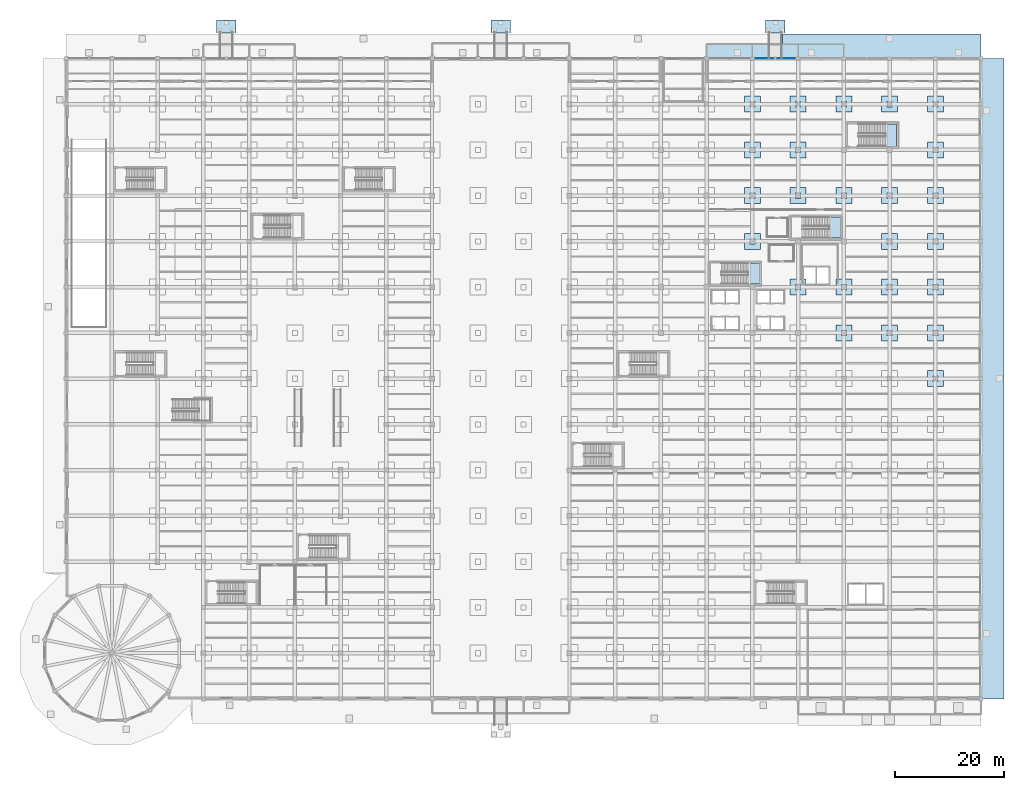
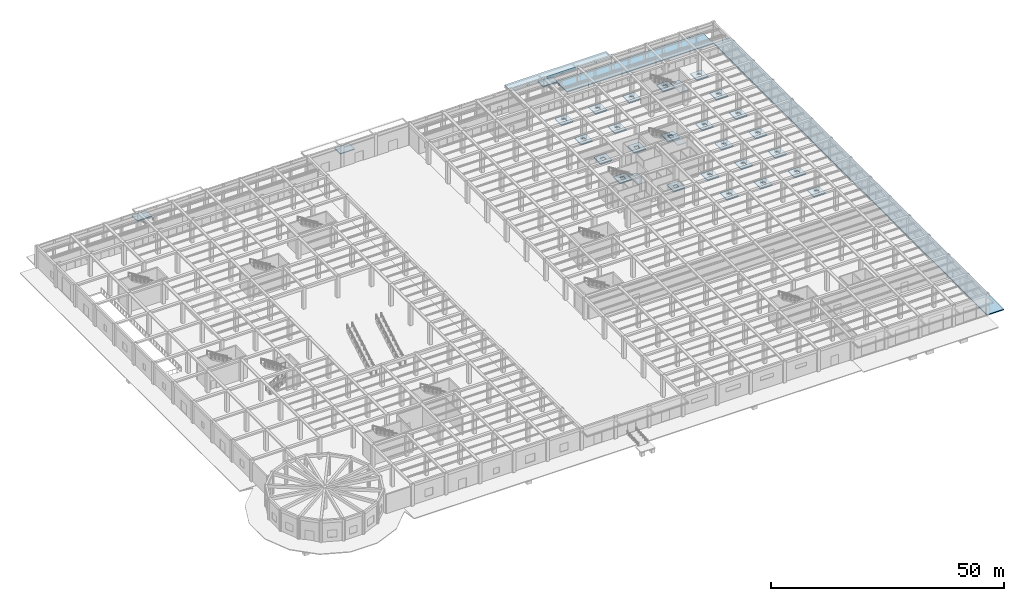
# One storey, part 21 of 43: 33 slabs, 1 plate, 4 elements without a shape of their own.
"""IFC4 building model written with IfcOpenShell, lengths in metres."""

import ifcopenshell
import ifcopenshell.guid

model = None  # the IFC model being written
_history = None  # IfcOwnerHistory: only IFC2X3 demands one
_inside = {}  # id of a spatial element -> (the spatial element, [elements in it])
_under = {}  # id of a project, library or spatial element -> (it, [spatial elements below it])
_declared = {}  # id of a project -> (the project, [libraries it declares])
_typed = {}  # id of a type object -> (the type object, [elements of that type])
_made_of = {}  # id of a material, layer set ... -> (it, [elements and type objects made of it])


def new_model(schema):
    """Start an empty IFC model of exactly this schema.

    Asked for "IFC4X3", IfcOpenShell would pick the latest addendum, in which some entities
    have other attributes; the version numbers below select the first issue.
    IFC2X3 requires an IfcOwnerHistory on every rooted entity: one is made here for all.
    """
    global model, _history
    if schema == "IFC4X3":
        model = ifcopenshell.file(schema_version=(4, 3, 0, 0))
    else:
        model = ifcopenshell.file(schema=schema)
    _inside.clear()
    _under.clear()
    _declared.clear()
    _typed.clear()
    _made_of.clear()
    _history = None
    if model.schema == "IFC2X3":
        org = make("IfcOrganization", Name="unknown")
        user = make(
            "IfcPersonAndOrganization",
            ThePerson=make("IfcPerson", FamilyName="unknown"),
            TheOrganization=org,
        )
        app = make(
            "IfcApplication",
            ApplicationDeveloper=org,
            Version="unknown",
            ApplicationFullName="unknown",
            ApplicationIdentifier="unknown",
        )
        _history = make(
            "IfcOwnerHistory",
            OwningUser=user,
            OwningApplication=app,
            ChangeAction="ADDED",
            CreationDate=0,
        )
    return model


def make(cls, **values):
    """One entity of the class cls with the attributes given. An attribute that is None is left unset."""
    return model.create_entity(
        cls, **{name: value for name, value in values.items() if value is not None}
    )


def rooted(cls, **values):
    """An entity with a GlobalId (a new one), such as an element, a storey or a relation."""
    return make(cls, GlobalId=ifcopenshell.guid.new(), OwnerHistory=_history, **values)


def si_unit(unit_type, name, prefix=None):
    """IfcSIUnit, for example si_unit("LENGTHUNIT", "METRE", prefix="MILLI")."""
    return make("IfcSIUnit", UnitType=unit_type, Prefix=prefix, Name=name)


def assignment(units):
    """IfcUnitAssignment: the units of a project."""
    return None if units is None else make("IfcUnitAssignment", Units=units)


def point(xyz):
    """IfcCartesianPoint."""
    return None if xyz is None else make("IfcCartesianPoint", Coordinates=xyz)


def direction(xyz):
    """IfcDirection."""
    return None if xyz is None else make("IfcDirection", DirectionRatios=xyz)


def frame(location, z_axis=None, x_axis=None):
    """IfcAxis2Placement3D, a coordinate frame: its origin and axes. An axis left out is left unset."""
    return make(
        "IfcAxis2Placement3D",
        Location=point(location),
        Axis=direction(z_axis),
        RefDirection=direction(x_axis),
    )


def frame_2d(location, x_axis=None):
    """IfcAxis2Placement2D, a coordinate frame in the plane: its origin and x axis."""
    return make(
        "IfcAxis2Placement2D", Location=point(location), RefDirection=direction(x_axis)
    )


def origin():
    """The frame at (0, 0, 0) with its axes left unset."""
    return frame((0.0, 0.0, 0.0))


def origin_2d():
    """The frame at (0, 0) in the plane with its x axis left unset."""
    return frame_2d((0.0, 0.0))


def place(relative_to, where):
    """IfcLocalPlacement: puts the frame where relative to a parent placement (None: the world)."""
    return make(
        "IfcLocalPlacement", PlacementRelTo=relative_to, RelativePlacement=where
    )


def context(
    kind, dimensions, precision=None, world=None, true_north=None, identifier=None
):
    """IfcGeometricRepresentationContext, for example the 3D "Model" context."""
    return make(
        "IfcGeometricRepresentationContext",
        ContextIdentifier=identifier,
        ContextType=kind,
        CoordinateSpaceDimension=dimensions,
        Precision=precision,
        WorldCoordinateSystem=world,
        TrueNorth=true_north,
    )


def subcontext(parent, identifier, kind, view, scale=None):
    """IfcGeometricRepresentationSubContext, for example "Body" below "Model"."""
    return make(
        "IfcGeometricRepresentationSubContext",
        ContextIdentifier=identifier,
        ContextType=kind,
        ParentContext=parent,
        TargetScale=scale,
        TargetView=view,
    )


def project(units=None, contexts=None):
    """IfcProject with its units and contexts."""
    return rooted(
        "IfcProject",
        Name="project",
        RepresentationContexts=contexts,
        UnitsInContext=assignment(units),
    )


def spatial(cls, under=None, at=None, **own):
    """A site, building, storey or space (cls), placed at a placement, below another one or the project."""
    s = rooted(cls, ObjectPlacement=at, **own)
    if under is not None:
        _under.setdefault(under.id(), (under, []))[1].append(s)
    return s


def polyline(points):
    """IfcPolyline through the points."""
    return make("IfcPolyline", Points=[point(p) for p in points])


def profile(cls, at=None, kind="AREA", **sizes):
    """A parametric profile (cls). Its sizes go by their IFC names, for example OverallWidth=200.0."""
    return make(cls, ProfileType=kind, Position=at, **sizes)


def rectangle(**sizes):
    """IfcRectangleProfileDef."""
    return profile("IfcRectangleProfileDef", **sizes)


def outline(outer, holes=None, kind="AREA"):
    """IfcArbitraryClosedProfileDef: a profile drawn as a closed curve; with holes, ...WithVoids."""
    if holes is None:
        return make("IfcArbitraryClosedProfileDef", ProfileType=kind, OuterCurve=outer)
    return make(
        "IfcArbitraryProfileDefWithVoids",
        ProfileType=kind,
        OuterCurve=outer,
        InnerCurves=holes,
    )


def extrude(swept, where, along, depth):
    """IfcExtrudedAreaSolid: the profile swept, set in the frame where, extruded along a direction by depth."""
    return make(
        "IfcExtrudedAreaSolid",
        SweptArea=swept,
        Position=where,
        ExtrudedDirection=direction(along),
        Depth=depth,
    )


def shape(context_of_items, identifier, shape_type, items):
    """IfcShapeRepresentation: the items that make up one representation, for example the "Body"."""
    return make(
        "IfcShapeRepresentation",
        ContextOfItems=context_of_items,
        RepresentationIdentifier=identifier,
        RepresentationType=shape_type,
        Items=items,
    )


def material(Name=None, Category=None):
    """IfcMaterial."""
    return make("IfcMaterial", Name=Name, Category=Category)


def layer(
    of_material, thickness, ventilated=None, Name=None, Category=None, Priority=None
):
    """IfcMaterialLayer: one layer of a wall or slab, of a material (None: an air gap)."""
    return make(
        "IfcMaterialLayer",
        Material=of_material,
        LayerThickness=thickness,
        IsVentilated=ventilated,
        Name=Name,
        Category=Category,
        Priority=Priority,
    )


def layer_set(layers, Name=None):
    """IfcMaterialLayerSet."""
    return make("IfcMaterialLayerSet", MaterialLayers=layers, LayerSetName=Name)


def made_of(thing, what):
    """Note that an element or type object is made of a material, layer set ...; save() writes the relation."""
    if what is not None:
        _made_of.setdefault(what.id(), (what, []))[1].append(thing)
    return thing


def type_object(cls, material=None, **own):
    """A type object (cls), such as IfcWallType, which elements share."""
    return made_of(rooted(cls, **own), material)


def element(
    cls,
    number,
    at=None,
    inside=None,
    cuts=None,
    type_object=None,
    material=None,
    context=None,
    identifier="Body",
    shape_type=None,
    held_by="IfcProductDefinitionShape",
    body=None,
    shapes=None,
    **own,
):
    """One element of the class cls, such as IfcWall. Its Tag is "e" and its number.

    at: its placement. inside: the storey or other place that contains it. cuts: it is an
    opening in that element (IfcRelVoidsElement). A single representation is given by context,
    identifier, shape_type and body (its items); several are given by shapes. held_by: the class
    of the entity that holds the representations. save() writes the other relations.
    """
    e = rooted(cls, Tag="e%d" % number, ObjectPlacement=at, **own)
    if body is not None:
        shapes = [shape(context, identifier, shape_type, body)]
    if shapes is not None:
        e.Representation = make(held_by, Representations=shapes)
    if inside is not None:
        _inside.setdefault(inside.id(), (inside, []))[1].append(e)
    if cuts is not None:
        rooted(
            "IfcRelVoidsElement", RelatingBuildingElement=cuts, RelatedOpeningElement=e
        )
    if type_object is not None:
        _typed.setdefault(type_object.id(), (type_object, []))[1].append(e)
    return made_of(e, material)


def aggregate(whole, parts):
    """IfcRelAggregates: a whole, such as a stair, and the parts it consists of."""
    return rooted("IfcRelAggregates", RelatingObject=whole, RelatedObjects=parts)


def save(model, path):
    """Write the relations noted so far, then the file.

    IfcRelAggregates (storeys below a building ...), IfcRelContainedInSpatialStructure (elements
    in a storey), IfcRelDefinesByType, IfcRelAssociatesMaterial and IfcRelDeclares: one each for
    every whole, place, type object, material and project.
    """
    for whole, parts in _under.values():
        aggregate(whole, parts)
    for where, things in _inside.values():
        rooted(
            "IfcRelContainedInSpatialStructure",
            RelatedElements=things,
            RelatingStructure=where,
        )
    for kind, things in _typed.values():
        rooted("IfcRelDefinesByType", RelatedObjects=things, RelatingType=kind)
    for what, things in _made_of.values():
        rooted("IfcRelAssociatesMaterial", RelatedObjects=things, RelatingMaterial=what)
    for by, libraries in _declared.values():
        rooted("IfcRelDeclares", RelatingContext=by, RelatedDefinitions=libraries)
    model.write(path)


model = new_model("IFC4")

# Units and contexts
model_context = context("Model", 3, precision=1e-05, world=origin(), true_north=direction((0.0, 1.0)))
body_context = subcontext(model_context, "Body", "Model", "MODEL_VIEW")
ifc_project = project(units=[si_unit("LENGTHUNIT", "METRE"), si_unit("AREAUNIT", "SQUARE_METRE"), si_unit("VOLUMEUNIT", "CUBIC_METRE"), si_unit("PLANEANGLEUNIT", "RADIAN"), si_unit("MASSUNIT", "GRAM", prefix="KILO")], contexts=[model_context])

# Site, building, storey
site_placement = place(None, origin())
site = spatial("IfcSite", under=ifc_project, at=site_placement, CompositionType="ELEMENT")
building_placement = place(site_placement, origin())
building = spatial("IfcBuilding", under=site, at=building_placement, Name="Almacenes y Pasaje Nevantli", CompositionType="ELEMENT")
storey_placement = place(building_placement, origin())
storey = spatial("IfcBuildingStorey", under=building, at=storey_placement, Name="L01", CompositionType="ELEMENT", Elevation=0.0)

# Plate
ifc_material_1 = material(Name="Insulated Bronze Aluminium Spandrel Panel", Category="aluminium")
ifc_layer_1 = layer(ifc_material_1, 0.054931640625)
ifc_layer_set_1 = layer_set([ifc_layer_1], Name="Insulated Bronze Aluminium Spandrel Panel")
plate_type = type_object("IfcPlateType", Name="PL-SPN-55", PredefinedType="SHEET", material=ifc_layer_set_1)
plate_placement = place(storey_placement, frame((130.199951171875, 117.639892578125, 5.1748046875), z_axis=(0.0, 0.0, 1.0), x_axis=(1.0, 0.0, 0.0)))
element("IfcPlate", 1, at=plate_placement, inside=storey, type_object=plate_type, Name="Boulevard Portales Architectural Frieze Plate #16", PredefinedType="SHEET", context=body_context, shape_type="SweptSolid", body=[
    extrude(rectangle(XDim=7.199951171875, YDim=0.054931640625, at=origin_2d()), origin(), (0.0, 0.0, 1.0), 0.550048828125),
])

# Roof, slab
ifc_material_2 = material(Name="Concrete C35/45", Category="concrete")
roof_type = type_object("IfcRoofType", Name="ROOF-FLAT-DECK", PredefinedType="FLAT_ROOF", material=ifc_material_2)
roof_placement = place(storey_placement, origin())
roof = element("IfcRoof", 2, at=roof_placement, inside=storey, type_object=roof_type, Name="L01 Boulevard and Dock Canopy Roof cnp-north-tower", PredefinedType="FLAT_ROOF")
ifc_material_3 = material(Name="Architectural Precast Concrete C35/45", Category="concrete")
ifc_layer_2 = layer(ifc_material_3, 0.139892578125)
ifc_layer_set_2 = layer_set([ifc_layer_2], Name="Architectural Precast Concrete C35/45")
slab_type_1 = type_object("IfcSlabType", Name="SLB-CANOPY-140", PredefinedType="ROOF", material=ifc_layer_set_2)
slab_1_placement = place(storey_placement, frame((0.0, 0.0, 4.9599609375)))
slab_1 = element("IfcSlab", 3, at=slab_1_placement, type_object=slab_type_1, Name="Architectural Precast Canopy Deck cnp-north-tower", PredefinedType="ROOF", context=body_context, shape_type="SweptSolid", body=[
    extrude(outline(polyline([(117.60009765625, 117.60009765625), (142.800048828125, 117.60009765625), (142.800048828125, 120.199951171875), (117.60009765625, 120.199951171875), (117.60009765625, 117.60009765625)])), origin(), (0.0, 0.0, 1.0), 0.14013671875),
])
aggregate(roof, [slab_1])

# Slabs
ifc_material_4 = material(Name="Concrete C35/45", Category="concrete")
ifc_layer_3 = layer(ifc_material_4, 0.25)
ifc_layer_set_3 = layer_set([ifc_layer_3], Name="Concrete C35/45")
slab_type_2 = type_object("IfcSlabType", Name="SLB-DP-250", PredefinedType="USERDEFINED", material=ifc_layer_set_3)
slab_2_placement = place(storey_placement, frame((0.0, 0.0, -0.570068359375)))
element("IfcSlab", 4, at=slab_2_placement, inside=storey, type_object=slab_type_2, Name="L01 Punching-Shear Drop Panel DP-02 #359", ObjectType="DROP PANEL", PredefinedType="USERDEFINED", context=body_context, shape_type="SweptSolid", body=[
    extrude(outline(polyline([(124.550048828125, 82.550048828125), (127.449951171875, 82.550048828125), (127.449951171875, 85.449951171875), (124.550048828125, 85.449951171875), (124.550048828125, 82.550048828125)]), holes=[polyline([(125.52001953125, 83.52001953125), (126.47998046875, 83.52001953125), (126.47998046875, 84.47998046875), (125.52001953125, 84.47998046875), (125.52001953125, 83.52001953125)])]), origin(), (0.0, 0.0, 1.0), 0.25),
])
slab_3_placement = place(storey_placement, frame((0.0, 0.0, -0.570068359375)))
element("IfcSlab", 5, at=slab_3_placement, inside=storey, type_object=slab_type_2, Name="L01 Punching-Shear Drop Panel DP-02 #360", ObjectType="DROP PANEL", PredefinedType="USERDEFINED", context=body_context, shape_type="SweptSolid", body=[
    extrude(outline(polyline([(124.550048828125, 90.949951171875), (127.449951171875, 90.949951171875), (127.449951171875, 93.85009765625), (124.550048828125, 93.85009765625), (124.550048828125, 90.949951171875)]), holes=[polyline([(125.52001953125, 91.919921875), (126.47998046875, 91.919921875), (126.47998046875, 92.8798828125), (125.52001953125, 92.8798828125), (125.52001953125, 91.919921875)])]), origin(), (0.0, 0.0, 1.0), 0.25),
])
slab_4_placement = place(storey_placement, frame((0.0, 0.0, -0.570068359375)))
element("IfcSlab", 6, at=slab_4_placement, inside=storey, type_object=slab_type_2, Name="L01 Punching-Shear Drop Panel DP-02 #361", ObjectType="DROP PANEL", PredefinedType="USERDEFINED", context=body_context, shape_type="SweptSolid", body=[
    extrude(outline(polyline([(124.550048828125, 99.35009765625), (127.449951171875, 99.35009765625), (127.449951171875, 102.25), (124.550048828125, 102.25), (124.550048828125, 99.35009765625)]), holes=[polyline([(125.52001953125, 100.320068359375), (126.47998046875, 100.320068359375), (126.47998046875, 101.280029296875), (125.52001953125, 101.280029296875), (125.52001953125, 100.320068359375)])]), origin(), (0.0, 0.0, 1.0), 0.25),
])
slab_5_placement = place(storey_placement, frame((0.0, 0.0, -0.570068359375)))
element("IfcSlab", 7, at=slab_5_placement, inside=storey, type_object=slab_type_2, Name="L01 Punching-Shear Drop Panel DP-02 #362", ObjectType="DROP PANEL", PredefinedType="USERDEFINED", context=body_context, shape_type="SweptSolid", body=[
    extrude(outline(polyline([(124.550048828125, 107.75), (127.449951171875, 107.75), (127.449951171875, 110.64990234375), (124.550048828125, 110.64990234375), (124.550048828125, 107.75)]), holes=[polyline([(125.52001953125, 108.719970703125), (126.47998046875, 108.719970703125), (126.47998046875, 109.679931640625), (125.52001953125, 109.679931640625), (125.52001953125, 108.719970703125)])]), origin(), (0.0, 0.0, 1.0), 0.25),
])
slab_6_placement = place(storey_placement, frame((0.0, 0.0, -0.570068359375)))
element("IfcSlab", 8, at=slab_6_placement, inside=storey, type_object=slab_type_2, Name="L01 Punching-Shear Drop Panel DP-02 #368", ObjectType="DROP PANEL", PredefinedType="USERDEFINED", context=body_context, shape_type="SweptSolid", body=[
    extrude(outline(polyline([(132.949951171875, 74.14990234375), (135.85009765625, 74.14990234375), (135.85009765625, 77.050048828125), (132.949951171875, 77.050048828125), (132.949951171875, 74.14990234375)]), holes=[polyline([(133.919921875, 75.1201171875), (134.8798828125, 75.1201171875), (134.8798828125, 76.080078125), (133.919921875, 76.080078125), (133.919921875, 75.1201171875)])]), origin(), (0.0, 0.0, 1.0), 0.25),
])
slab_7_placement = place(storey_placement, frame((0.0, 0.0, -0.570068359375)))
element("IfcSlab", 9, at=slab_7_placement, inside=storey, type_object=slab_type_2, Name="L01 Punching-Shear Drop Panel DP-02 #369", ObjectType="DROP PANEL", PredefinedType="USERDEFINED", context=body_context, shape_type="SweptSolid", body=[
    extrude(outline(polyline([(132.949951171875, 90.949951171875), (135.85009765625, 90.949951171875), (135.85009765625, 93.85009765625), (132.949951171875, 93.85009765625), (132.949951171875, 90.949951171875)]), holes=[polyline([(133.919921875, 91.919921875), (134.8798828125, 91.919921875), (134.8798828125, 92.8798828125), (133.919921875, 92.8798828125), (133.919921875, 91.919921875)])]), origin(), (0.0, 0.0, 1.0), 0.25),
])
slab_8_placement = place(storey_placement, frame((0.0, 0.0, -0.570068359375)))
element("IfcSlab", 10, at=slab_8_placement, inside=storey, type_object=slab_type_2, Name="L01 Punching-Shear Drop Panel DP-02 #370", ObjectType="DROP PANEL", PredefinedType="USERDEFINED", context=body_context, shape_type="SweptSolid", body=[
    extrude(outline(polyline([(132.949951171875, 99.35009765625), (135.85009765625, 99.35009765625), (135.85009765625, 102.25), (132.949951171875, 102.25), (132.949951171875, 99.35009765625)]), holes=[polyline([(133.919921875, 100.320068359375), (134.8798828125, 100.320068359375), (134.8798828125, 101.280029296875), (133.919921875, 101.280029296875), (133.919921875, 100.320068359375)])]), origin(), (0.0, 0.0, 1.0), 0.25),
])
slab_9_placement = place(storey_placement, frame((0.0, 0.0, -0.570068359375)))
element("IfcSlab", 11, at=slab_9_placement, inside=storey, type_object=slab_type_2, Name="L01 Punching-Shear Drop Panel DP-02 #371", ObjectType="DROP PANEL", PredefinedType="USERDEFINED", context=body_context, shape_type="SweptSolid", body=[
    extrude(outline(polyline([(132.949951171875, 107.75), (135.85009765625, 107.75), (135.85009765625, 110.64990234375), (132.949951171875, 110.64990234375), (132.949951171875, 107.75)]), holes=[polyline([(133.919921875, 108.719970703125), (134.8798828125, 108.719970703125), (134.8798828125, 109.679931640625), (133.919921875, 109.679931640625), (133.919921875, 108.719970703125)])]), origin(), (0.0, 0.0, 1.0), 0.25),
])
slab_10_placement = place(storey_placement, frame((0.0, 0.0, -0.570068359375)))
element("IfcSlab", 12, at=slab_10_placement, inside=storey, type_object=slab_type_2, Name="L01 Punching-Shear Drop Panel DP-02 #376", ObjectType="DROP PANEL", PredefinedType="USERDEFINED", context=body_context, shape_type="SweptSolid", body=[
    extrude(outline(polyline([(141.35009765625, 65.75), (144.25, 65.75), (144.25, 68.64990234375), (141.35009765625, 68.64990234375), (141.35009765625, 65.75)]), holes=[polyline([(142.320068359375, 66.719970703125), (143.280029296875, 66.719970703125), (143.280029296875, 67.679931640625), (142.320068359375, 67.679931640625), (142.320068359375, 66.719970703125)])]), origin(), (0.0, 0.0, 1.0), 0.25),
])
slab_11_placement = place(storey_placement, frame((0.0, 0.0, -0.570068359375)))
element("IfcSlab", 13, at=slab_11_placement, inside=storey, type_object=slab_type_2, Name="L01 Punching-Shear Drop Panel DP-02 #377", ObjectType="DROP PANEL", PredefinedType="USERDEFINED", context=body_context, shape_type="SweptSolid", body=[
    extrude(outline(polyline([(141.35009765625, 74.14990234375), (144.25, 74.14990234375), (144.25, 77.050048828125), (141.35009765625, 77.050048828125), (141.35009765625, 74.14990234375)]), holes=[polyline([(142.320068359375, 75.1201171875), (143.280029296875, 75.1201171875), (143.280029296875, 76.080078125), (142.320068359375, 76.080078125), (142.320068359375, 75.1201171875)])]), origin(), (0.0, 0.0, 1.0), 0.25),
])
slab_12_placement = place(storey_placement, frame((0.0, 0.0, -0.570068359375)))
element("IfcSlab", 14, at=slab_12_placement, inside=storey, type_object=slab_type_2, Name="L01 Punching-Shear Drop Panel DP-02 #378", ObjectType="DROP PANEL", PredefinedType="USERDEFINED", context=body_context, shape_type="SweptSolid", body=[
    extrude(outline(polyline([(141.35009765625, 90.949951171875), (144.25, 90.949951171875), (144.25, 93.85009765625), (141.35009765625, 93.85009765625), (141.35009765625, 90.949951171875)]), holes=[polyline([(142.320068359375, 91.919921875), (143.280029296875, 91.919921875), (143.280029296875, 92.8798828125), (142.320068359375, 92.8798828125), (142.320068359375, 91.919921875)])]), origin(), (0.0, 0.0, 1.0), 0.25),
])
slab_13_placement = place(storey_placement, frame((0.0, 0.0, -0.570068359375)))
element("IfcSlab", 15, at=slab_13_placement, inside=storey, type_object=slab_type_2, Name="L01 Punching-Shear Drop Panel DP-02 #379", ObjectType="DROP PANEL", PredefinedType="USERDEFINED", context=body_context, shape_type="SweptSolid", body=[
    extrude(outline(polyline([(141.35009765625, 107.75), (144.25, 107.75), (144.25, 110.64990234375), (141.35009765625, 110.64990234375), (141.35009765625, 107.75)]), holes=[polyline([(142.320068359375, 108.719970703125), (143.280029296875, 108.719970703125), (143.280029296875, 109.679931640625), (142.320068359375, 109.679931640625), (142.320068359375, 108.719970703125)])]), origin(), (0.0, 0.0, 1.0), 0.25),
])
slab_14_placement = place(storey_placement, frame((0.0, 0.0, -0.570068359375)))
element("IfcSlab", 16, at=slab_14_placement, inside=storey, type_object=slab_type_2, Name="L01 Punching-Shear Drop Panel DP-02 #384", ObjectType="DROP PANEL", PredefinedType="USERDEFINED", context=body_context, shape_type="SweptSolid", body=[
    extrude(outline(polyline([(149.75, 65.75), (152.64990234375, 65.75), (152.64990234375, 68.64990234375), (149.75, 68.64990234375), (149.75, 65.75)]), holes=[polyline([(150.719970703125, 66.719970703125), (151.679931640625, 66.719970703125), (151.679931640625, 67.679931640625), (150.719970703125, 67.679931640625), (150.719970703125, 66.719970703125)])]), origin(), (0.0, 0.0, 1.0), 0.25),
])
slab_15_placement = place(storey_placement, frame((0.0, 0.0, -0.570068359375)))
element("IfcSlab", 17, at=slab_15_placement, inside=storey, type_object=slab_type_2, Name="L01 Punching-Shear Drop Panel DP-02 #385", ObjectType="DROP PANEL", PredefinedType="USERDEFINED", context=body_context, shape_type="SweptSolid", body=[
    extrude(outline(polyline([(149.75, 74.14990234375), (152.64990234375, 74.14990234375), (152.64990234375, 77.050048828125), (149.75, 77.050048828125), (149.75, 74.14990234375)]), holes=[polyline([(150.719970703125, 75.1201171875), (151.679931640625, 75.1201171875), (151.679931640625, 76.080078125), (150.719970703125, 76.080078125), (150.719970703125, 75.1201171875)])]), origin(), (0.0, 0.0, 1.0), 0.25),
])
slab_16_placement = place(storey_placement, frame((0.0, 0.0, -0.570068359375)))
element("IfcSlab", 18, at=slab_16_placement, inside=storey, type_object=slab_type_2, Name="L01 Punching-Shear Drop Panel DP-02 #386", ObjectType="DROP PANEL", PredefinedType="USERDEFINED", context=body_context, shape_type="SweptSolid", body=[
    extrude(outline(polyline([(149.75, 82.550048828125), (152.64990234375, 82.550048828125), (152.64990234375, 85.449951171875), (149.75, 85.449951171875), (149.75, 82.550048828125)]), holes=[polyline([(150.719970703125, 83.52001953125), (151.679931640625, 83.52001953125), (151.679931640625, 84.47998046875), (150.719970703125, 84.47998046875), (150.719970703125, 83.52001953125)])]), origin(), (0.0, 0.0, 1.0), 0.25),
])
slab_17_placement = place(storey_placement, frame((0.0, 0.0, -0.570068359375)))
element("IfcSlab", 19, at=slab_17_placement, inside=storey, type_object=slab_type_2, Name="L01 Punching-Shear Drop Panel DP-02 #387", ObjectType="DROP PANEL", PredefinedType="USERDEFINED", context=body_context, shape_type="SweptSolid", body=[
    extrude(outline(polyline([(149.75, 90.949951171875), (152.64990234375, 90.949951171875), (152.64990234375, 93.85009765625), (149.75, 93.85009765625), (149.75, 90.949951171875)]), holes=[polyline([(150.719970703125, 91.919921875), (151.679931640625, 91.919921875), (151.679931640625, 92.8798828125), (150.719970703125, 92.8798828125), (150.719970703125, 91.919921875)])]), origin(), (0.0, 0.0, 1.0), 0.25),
])
slab_18_placement = place(storey_placement, frame((0.0, 0.0, -0.570068359375)))
element("IfcSlab", 20, at=slab_18_placement, inside=storey, type_object=slab_type_2, Name="L01 Punching-Shear Drop Panel DP-02 #388", ObjectType="DROP PANEL", PredefinedType="USERDEFINED", context=body_context, shape_type="SweptSolid", body=[
    extrude(outline(polyline([(149.75, 107.75), (152.64990234375, 107.75), (152.64990234375, 110.64990234375), (149.75, 110.64990234375), (149.75, 107.75)]), holes=[polyline([(150.719970703125, 108.719970703125), (151.679931640625, 108.719970703125), (151.679931640625, 109.679931640625), (150.719970703125, 109.679931640625), (150.719970703125, 108.719970703125)])]), origin(), (0.0, 0.0, 1.0), 0.25),
])
slab_19_placement = place(storey_placement, frame((0.0, 0.0, -0.570068359375)))
element("IfcSlab", 21, at=slab_19_placement, inside=storey, type_object=slab_type_2, Name="L01 Punching-Shear Drop Panel DP-02 #392", ObjectType="DROP PANEL", PredefinedType="USERDEFINED", context=body_context, shape_type="SweptSolid", body=[
    extrude(outline(polyline([(158.14990234375, 57.35009765625), (161.050048828125, 57.35009765625), (161.050048828125, 60.25), (158.14990234375, 60.25), (158.14990234375, 57.35009765625)]), holes=[polyline([(159.1201171875, 58.320068359375), (160.080078125, 58.320068359375), (160.080078125, 59.280029296875), (159.1201171875, 59.280029296875), (159.1201171875, 58.320068359375)])]), origin(), (0.0, 0.0, 1.0), 0.25),
])
slab_20_placement = place(storey_placement, frame((0.0, 0.0, -0.570068359375)))
element("IfcSlab", 22, at=slab_20_placement, inside=storey, type_object=slab_type_2, Name="L01 Punching-Shear Drop Panel DP-02 #393", ObjectType="DROP PANEL", PredefinedType="USERDEFINED", context=body_context, shape_type="SweptSolid", body=[
    extrude(outline(polyline([(158.14990234375, 65.75), (161.050048828125, 65.75), (161.050048828125, 68.64990234375), (158.14990234375, 68.64990234375), (158.14990234375, 65.75)]), holes=[polyline([(159.1201171875, 66.719970703125), (160.080078125, 66.719970703125), (160.080078125, 67.679931640625), (159.1201171875, 67.679931640625), (159.1201171875, 66.719970703125)])]), origin(), (0.0, 0.0, 1.0), 0.25),
])
slab_21_placement = place(storey_placement, frame((0.0, 0.0, -0.570068359375)))
element("IfcSlab", 23, at=slab_21_placement, inside=storey, type_object=slab_type_2, Name="L01 Punching-Shear Drop Panel DP-02 #394", ObjectType="DROP PANEL", PredefinedType="USERDEFINED", context=body_context, shape_type="SweptSolid", body=[
    extrude(outline(polyline([(158.14990234375, 74.14990234375), (161.050048828125, 74.14990234375), (161.050048828125, 77.050048828125), (158.14990234375, 77.050048828125), (158.14990234375, 74.14990234375)]), holes=[polyline([(159.1201171875, 75.1201171875), (160.080078125, 75.1201171875), (160.080078125, 76.080078125), (159.1201171875, 76.080078125), (159.1201171875, 75.1201171875)])]), origin(), (0.0, 0.0, 1.0), 0.25),
])
slab_22_placement = place(storey_placement, frame((0.0, 0.0, -0.570068359375)))
element("IfcSlab", 24, at=slab_22_placement, inside=storey, type_object=slab_type_2, Name="L01 Punching-Shear Drop Panel DP-02 #395", ObjectType="DROP PANEL", PredefinedType="USERDEFINED", context=body_context, shape_type="SweptSolid", body=[
    extrude(outline(polyline([(158.14990234375, 82.550048828125), (161.050048828125, 82.550048828125), (161.050048828125, 85.449951171875), (158.14990234375, 85.449951171875), (158.14990234375, 82.550048828125)]), holes=[polyline([(159.1201171875, 83.52001953125), (160.080078125, 83.52001953125), (160.080078125, 84.47998046875), (159.1201171875, 84.47998046875), (159.1201171875, 83.52001953125)])]), origin(), (0.0, 0.0, 1.0), 0.25),
])
slab_23_placement = place(storey_placement, frame((0.0, 0.0, -0.570068359375)))
element("IfcSlab", 25, at=slab_23_placement, inside=storey, type_object=slab_type_2, Name="L01 Punching-Shear Drop Panel DP-02 #396", ObjectType="DROP PANEL", PredefinedType="USERDEFINED", context=body_context, shape_type="SweptSolid", body=[
    extrude(outline(polyline([(158.14990234375, 90.949951171875), (161.050048828125, 90.949951171875), (161.050048828125, 93.85009765625), (158.14990234375, 93.85009765625), (158.14990234375, 90.949951171875)]), holes=[polyline([(159.1201171875, 91.919921875), (160.080078125, 91.919921875), (160.080078125, 92.8798828125), (159.1201171875, 92.8798828125), (159.1201171875, 91.919921875)])]), origin(), (0.0, 0.0, 1.0), 0.25),
])
slab_24_placement = place(storey_placement, frame((0.0, 0.0, -0.570068359375)))
element("IfcSlab", 26, at=slab_24_placement, inside=storey, type_object=slab_type_2, Name="L01 Punching-Shear Drop Panel DP-02 #397", ObjectType="DROP PANEL", PredefinedType="USERDEFINED", context=body_context, shape_type="SweptSolid", body=[
    extrude(outline(polyline([(158.14990234375, 99.35009765625), (161.050048828125, 99.35009765625), (161.050048828125, 102.25), (158.14990234375, 102.25), (158.14990234375, 99.35009765625)]), holes=[polyline([(159.1201171875, 100.320068359375), (160.080078125, 100.320068359375), (160.080078125, 101.280029296875), (159.1201171875, 101.280029296875), (159.1201171875, 100.320068359375)])]), origin(), (0.0, 0.0, 1.0), 0.25),
])
slab_25_placement = place(storey_placement, frame((0.0, 0.0, -0.570068359375)))
element("IfcSlab", 27, at=slab_25_placement, inside=storey, type_object=slab_type_2, Name="L01 Punching-Shear Drop Panel DP-02 #398", ObjectType="DROP PANEL", PredefinedType="USERDEFINED", context=body_context, shape_type="SweptSolid", body=[
    extrude(outline(polyline([(158.14990234375, 107.75), (161.050048828125, 107.75), (161.050048828125, 110.64990234375), (158.14990234375, 110.64990234375), (158.14990234375, 107.75)]), holes=[polyline([(159.1201171875, 108.719970703125), (160.080078125, 108.719970703125), (160.080078125, 109.679931640625), (159.1201171875, 109.679931640625), (159.1201171875, 108.719970703125)])]), origin(), (0.0, 0.0, 1.0), 0.25),
])

# Stair, slab
ifc_material_5 = material(Name="Concrete C35/45", Category="concrete")
stair_type_1 = type_object("IfcStairType", Name="STR-CORE-1720", PredefinedType="HALF_TURN_STAIR", material=ifc_material_5)
stair_1_placement = place(storey_placement, origin())
stair_1 = element("IfcStair", 28, at=stair_1_placement, inside=storey, type_object=stair_type_1, Name="L01 Staircase ST-01", PredefinedType="HALF_TURN_STAIR")
ifc_material_6 = material(Name="Concrete C35/45", Category="concrete")
ifc_layer_4 = layer(ifc_material_6, 0.199951171875)
ifc_layer_set_4 = layer_set([ifc_layer_4], Name="Concrete C35/45")
slab_type_3 = type_object("IfcSlabType", Name="SLB-LAND-200", PredefinedType="LANDING", material=ifc_layer_set_4)
slab_26_placement = place(storey_placement, frame((0.0, 0.0, 2.800048828125)))
slab_26 = element("IfcSlab", 29, at=slab_26_placement, type_object=slab_type_3, Name="ST-01-L01 landing 1", PredefinedType="LANDING", context=body_context, shape_type="SweptSolid", body=[
    extrude(outline(polyline([(125.215087890625, 76.14990234375), (127.300048828125, 76.14990234375), (127.300048828125, 80.0400390625), (125.215087890625, 80.0400390625), (125.215087890625, 76.14990234375)])), origin(), (0.0, 0.0, 1.0), 0.199951171875),
])
aggregate(stair_1, [slab_26])

stair_2_placement = place(storey_placement, origin())
stair_2 = element("IfcStair", 30, at=stair_2_placement, inside=storey, type_object=stair_type_1, Name="L01 Staircase ST-02", PredefinedType="HALF_TURN_STAIR")
slab_27_placement = place(storey_placement, frame((0.0, 0.0, 2.800048828125)))
slab_27 = element("IfcSlab", 31, at=slab_27_placement, type_object=slab_type_3, Name="ST-02-L01 landing 1", PredefinedType="LANDING", context=body_context, shape_type="SweptSolid", body=[
    extrude(outline(polyline([(140.06494140625, 84.60009765625), (142.14990234375, 84.60009765625), (142.14990234375, 88.489990234375), (140.06494140625, 88.489990234375), (140.06494140625, 84.60009765625)])), origin(), (0.0, 0.0, 1.0), 0.199951171875),
])
aggregate(stair_2, [slab_27])

ifc_material_7 = material(Name="Concrete C35/45", Category="concrete")
stair_type_2 = type_object("IfcStairType", Name="STR-CORE-1850", PredefinedType="HALF_TURN_STAIR", material=ifc_material_7)
stair_3_placement = place(storey_placement, origin())
stair_3 = element("IfcStair", 32, at=stair_3_placement, inside=storey, type_object=stair_type_2, Name="L01 Staircase ST-07", PredefinedType="HALF_TURN_STAIR")
slab_28_placement = place(storey_placement, frame((0.0, 0.0, 2.800048828125)))
slab_28 = element("IfcSlab", 33, at=slab_28_placement, type_object=slab_type_3, Name="ST-07-L01 landing 1", PredefinedType="LANDING", context=body_context, shape_type="SweptSolid", body=[
    extrude(outline(polyline([(150.4150390625, 101.449951171875), (152.5, 101.449951171875), (152.5, 105.60009765625), (150.4150390625, 105.60009765625), (150.4150390625, 101.449951171875)])), origin(), (0.0, 0.0, 1.0), 0.199951171875),
])
aggregate(stair_3, [slab_28])

# Slabs
ifc_material_8 = material(Name="Toluca Basalt Stone Paving on Compacted Subbase", Category="masonry")
ifc_layer_5 = layer(ifc_material_8, 0.239990234375)
ifc_layer_set_5 = layer_set([ifc_layer_5], Name="Toluca Basalt Stone Paving on Compacted Subbase")
slab_type_4 = type_object("IfcSlabType", Name="SLB-PAVING-240", PredefinedType="USERDEFINED", material=ifc_layer_set_5)
slab_29_placement = place(storey_placement, frame((0.0, 0.0, -0.239990234375)))
element("IfcSlab", 34, at=slab_29_placement, inside=storey, type_object=slab_type_4, Name="North Boulevard Sidewalk Paving Zone 4", ObjectType="PAVING", PredefinedType="USERDEFINED", context=body_context, shape_type="SweptSolid", body=[
    extrude(outline(polyline([(131.550048828125, 117.60009765625), (168.0, 117.60009765625), (168.0, 122.10009765625), (131.550048828125, 122.10009765625), (131.550048828125, 117.60009765625)])), origin(), (0.0, 0.0, 1.0), 0.239990234375),
])
slab_30_placement = place(storey_placement, frame((0.0, 0.0, -0.239990234375)))
element("IfcSlab", 35, at=slab_30_placement, inside=storey, type_object=slab_type_4, Name="East Avenue Sidewalk Paving", ObjectType="PAVING", PredefinedType="USERDEFINED", context=body_context, shape_type="SweptSolid", body=[
    extrude(outline(polyline([(168.0, 0.0), (172.199951171875, 0.0), (172.199951171875, 117.60009765625), (168.0, 117.60009765625), (168.0, 0.0)])), origin(), (0.0, 0.0, 1.0), 0.239990234375),
])
ifc_material_9 = material(Name="Concrete C35/45", Category="concrete")
ifc_layer_6 = layer(ifc_material_9, 0.239990234375)
ifc_layer_set_6 = layer_set([ifc_layer_6], Name="Concrete C35/45")
slab_type_5 = type_object("IfcSlabType", Name="SLB-PLINTH-240", PredefinedType="BASESLAB", material=ifc_layer_set_6)
slab_31_placement = place(storey_placement, frame((0.0, 0.0, -0.56005859375)))
element("IfcSlab", 36, at=slab_31_placement, inside=storey, type_object=slab_type_5, Name="Boulevard Entrance Ramp Plinth Slab RP-03", PredefinedType="BASESLAB", context=body_context, shape_type="SweptSolid", body=[
    extrude(outline(polyline([(27.60009765625, 122.25), (31.199951171875, 122.25), (31.199951171875, 124.64990234375), (27.60009765625, 124.64990234375), (27.60009765625, 122.25)])), origin(), (0.0, 0.0, 1.0), 0.239990234375),
])
slab_32_placement = place(storey_placement, frame((0.0, 0.0, -0.56005859375)))
element("IfcSlab", 37, at=slab_32_placement, inside=storey, type_object=slab_type_5, Name="Boulevard Entrance Ramp Plinth Slab RP-04", PredefinedType="BASESLAB", context=body_context, shape_type="SweptSolid", body=[
    extrude(outline(polyline([(78.0, 122.25), (81.60009765625, 122.25), (81.60009765625, 124.64990234375), (78.0, 124.64990234375), (78.0, 122.25)])), origin(), (0.0, 0.0, 1.0), 0.239990234375),
])
slab_33_placement = place(storey_placement, frame((0.0, 0.0, -0.56005859375)))
element("IfcSlab", 38, at=slab_33_placement, inside=storey, type_object=slab_type_5, Name="Boulevard Entrance Ramp Plinth Slab RP-05", PredefinedType="BASESLAB", context=body_context, shape_type="SweptSolid", body=[
    extrude(outline(polyline([(128.39990234375, 122.25), (132.0, 122.25), (132.0, 124.64990234375), (128.39990234375, 124.64990234375), (128.39990234375, 122.25)])), origin(), (0.0, 0.0, 1.0), 0.239990234375),
])

save(model, "model.ifc")
